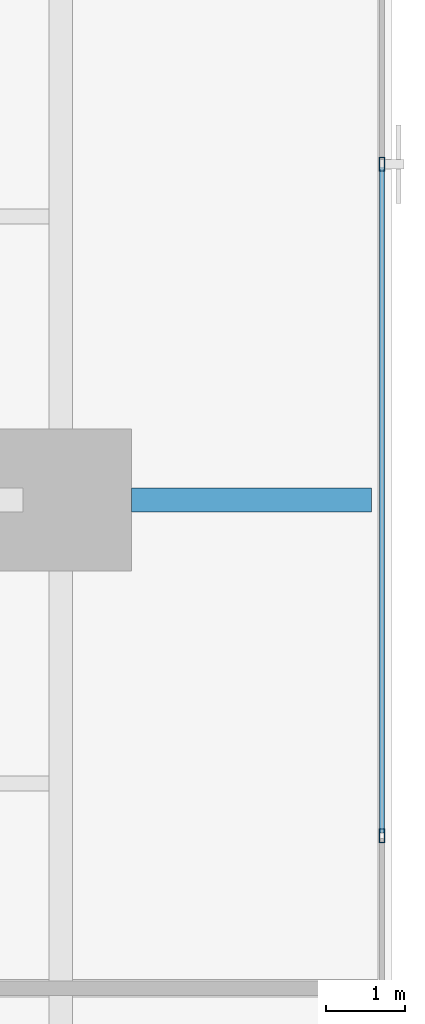
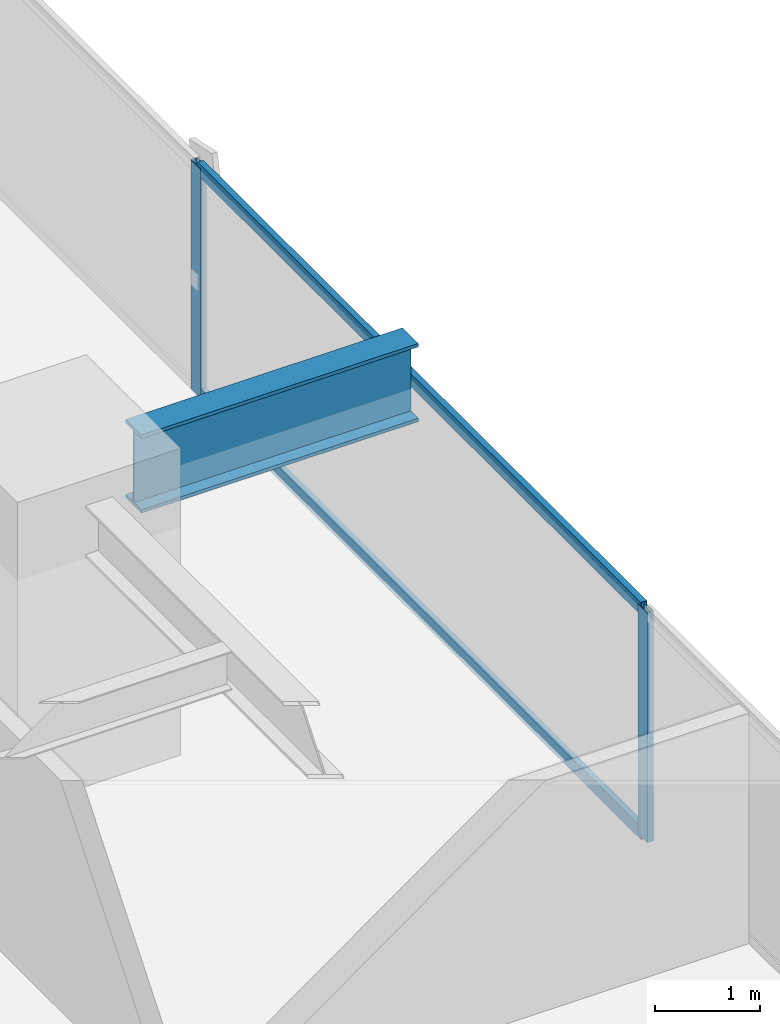
# One storey, part 15 of 33: 4 members, 1 beam, 1 element without a shape of its own.
"""IFC4 building model written with IfcOpenShell, lengths in metres."""

from ifc_helpers import new_model, si_unit, direction, frame, origin, origin_2d, place, context, subcontext, project, spatial, hollow_rectangle, i_section, extrude, source, transform, mapped, material, layer, layer_set, material_profile, profile_set, type_object, element, aggregate, save


model = new_model("IFC4")

# Units and contexts
model_context = context("Model", 3, precision=1e-05, world=origin(), true_north=direction((0.0, 1.0)))
body_context = subcontext(model_context, "Body", "Model", "MODEL_VIEW")
ifc_project = project(units=[si_unit("LENGTHUNIT", "METRE"), si_unit("AREAUNIT", "SQUARE_METRE"), si_unit("VOLUMEUNIT", "CUBIC_METRE"), si_unit("PLANEANGLEUNIT", "RADIAN"), si_unit("MASSUNIT", "GRAM", prefix="KILO")], contexts=[model_context])

# Site, building, storey
site_placement = place(None, origin())
site = spatial("IfcSite", under=ifc_project, at=site_placement, CompositionType="ELEMENT")
building_placement = place(site_placement, origin())
building = spatial("IfcBuilding", under=site, at=building_placement, Name="Sumidabori Civic Tower", CompositionType="ELEMENT")
storey_placement = place(building_placement, frame((0.0, 0.0, 66.800048828125)))
storey = spatial("IfcBuildingStorey", under=building, at=storey_placement, Name="L17", CompositionType="ELEMENT", Elevation=66.800048828125)

# Beam
ifc_material_1 = material(Name="Steel SN490", Category="steel")
ifc_material_profile_1 = material_profile(ifc_material_1, i_section(OverallWidth=0.302001953125, OverallDepth=0.909912109375, WebThickness=0.02099609375, FlangeThickness=0.0400390625, at=origin_2d()), Name="HE 900 M")
ifc_profile_set_1 = profile_set([ifc_material_profile_1], Name="Steel SN490")
beam_type = type_object("IfcBeamType", Name="BM-Z1-EDGE", PredefinedType="SPANDREL", material=ifc_profile_set_1)
shared_shape_1 = source(origin(), body_context, "Body", "SweptSolid", [
    extrude(i_section(OverallWidth=0.302001953125, OverallDepth=0.909912109375, WebThickness=0.02099609375, FlangeThickness=0.0400390625, at=origin_2d()), origin(), (0.0, 0.0, 1.0), 3.050048828125),
])
beam_placement = place(storey_placement, frame((23.699951171875, 0.0, 2.844970703125), z_axis=(1.0, 0.0, 0.0), x_axis=(0.0, 1.0, 0.0)))
element("IfcBeam", 1, at=beam_placement, inside=storey, type_object=beam_type, Name="Perimeter Overhang Beam L17 E-45", PredefinedType="SPANDREL", context=body_context, shape_type="MappedRepresentation", body=[
    mapped(shared_shape_1, transform((0.0, 0.0, 0.0), x_axis=(1.0, 0.0, 0.0), y_axis=(0.0, 1.0, 0.0), z_axis=(0.0, 0.0, 1.0), scale=1.0)),
])

# Curtain wall, members
ifc_material_2 = material(Name="Anodised Bronze Aluminium AW-6063-T6", Category="aluminium")
ifc_layer = layer(ifc_material_2, 0.179931640625, Name="Anodised Bronze Aluminium AW-6063-T6")
ifc_layer_set = layer_set([ifc_layer], Name="Anodised Bronze Aluminium AW-6063-T6")
curtain_wall_type = type_object("IfcCurtainWallType", Name="CW-SYS-2", PredefinedType="NOTDEFINED", material=ifc_layer_set)
curtain_wall_placement = place(storey_placement, origin())
curtain_wall = element("IfcCurtainWall", 2, at=curtain_wall_placement, inside=storey, type_object=curtain_wall_type, Name="Curtain Wall CW:L17:R04", PredefinedType="NOTDEFINED")
ifc_material_profile_2 = material_profile(ifc_material_2, hollow_rectangle(XDim=0.06494140625, YDim=0.14990234375, WallThickness=0.0048828125, at=origin_2d()), Name="ALU TRANSOM 150x65")
ifc_profile_set_2 = profile_set([ifc_material_profile_2], Name="Anodised Bronze Aluminium AW-6063-T6")
member_type_1 = type_object("IfcMemberType", Name="CW-TRN-150", PredefinedType="USERDEFINED", material=ifc_profile_set_2)
shared_shape_2 = source(origin(), body_context, "Body", "SweptSolid", [
    extrude(hollow_rectangle(XDim=0.06494140625, YDim=0.14990234375, WallThickness=0.0048828125, at=origin_2d()), origin(), (0.0, 0.0, 1.0), 8.4580078125),
])
member_1_placement = place(storey_placement, frame((26.8798828125, -4.22900390625, 0.032470703125), z_axis=(0.0, 1.0, 0.0), x_axis=(-1.0, 0.0, 0.0)))
member_1 = element("IfcMember", 3, at=member_1_placement, type_object=member_type_1, Name="CW-2 transom 3.1", ObjectType="TRANSOM", PredefinedType="USERDEFINED", context=body_context, shape_type="MappedRepresentation", body=[
    mapped(shared_shape_2, transform((0.0, 0.0, 0.0), x_axis=(1.0, 0.0, 0.0), y_axis=(0.0, 1.0, 0.0), z_axis=(0.0, 0.0, 1.0), scale=1.0)),
])
member_2_placement = place(storey_placement, frame((26.8798828125, -4.22900390625, 2.6474609375), z_axis=(0.0, 1.0, 0.0), x_axis=(-1.0, 0.0, 0.0)))
member_2 = element("IfcMember", 4, at=member_2_placement, type_object=member_type_1, Name="CW-2 transom 3.2", ObjectType="TRANSOM", PredefinedType="USERDEFINED", context=body_context, shape_type="MappedRepresentation", body=[
    mapped(shared_shape_2, transform((0.0, 0.0, 0.0), x_axis=(1.0, 0.0, 0.0), y_axis=(0.0, 1.0, 0.0), z_axis=(0.0, 0.0, 1.0), scale=1.0)),
])
ifc_material_profile_3 = material_profile(ifc_material_2, hollow_rectangle(XDim=0.070068359375, YDim=0.179931640625, WallThickness=0.006103515625, at=origin_2d()), Name="ALU MULLION 180x70")
ifc_profile_set_3 = profile_set([ifc_material_profile_3], Name="Anodised Bronze Aluminium AW-6063-T6")
member_type_2 = type_object("IfcMemberType", Name="CW-MUL-180", PredefinedType="MULLION", material=ifc_profile_set_3)
shared_shape_3 = source(origin(), body_context, "Body", "SweptSolid", [
    extrude(hollow_rectangle(XDim=0.070068359375, YDim=0.179931640625, WallThickness=0.006103515625, at=origin_2d()), origin(), (0.0, 0.0, 1.0), 2.679931640625),
])
member_3_placement = place(storey_placement, frame((26.8798828125, -4.263916015625, 0.0), z_axis=(0.0, 0.0, 1.0), x_axis=(-1.0, 0.0, 0.0)))
member_3 = element("IfcMember", 5, at=member_3_placement, type_object=member_type_2, Name="CW-2 mullion 3", PredefinedType="MULLION", context=body_context, shape_type="MappedRepresentation", body=[
    mapped(shared_shape_3, transform((0.0, 0.0, 0.0), x_axis=(1.0, 0.0, 0.0), y_axis=(0.0, 1.0, 0.0), z_axis=(0.0, 0.0, 1.0), scale=1.0)),
])
member_4_placement = place(storey_placement, frame((26.8798828125, 4.263916015625, 0.0), z_axis=(0.0, 0.0, 1.0), x_axis=(-1.0, 0.0, 0.0)))
member_4 = element("IfcMember", 6, at=member_4_placement, type_object=member_type_2, Name="CW-2 mullion 4", PredefinedType="MULLION", context=body_context, shape_type="MappedRepresentation", body=[
    mapped(shared_shape_3, transform((0.0, 0.0, 0.0), x_axis=(1.0, 0.0, 0.0), y_axis=(0.0, 1.0, 0.0), z_axis=(0.0, 0.0, 1.0), scale=1.0)),
])
aggregate(curtain_wall, [member_3, member_4, member_1, member_2])

save(model, "model.ifc")
